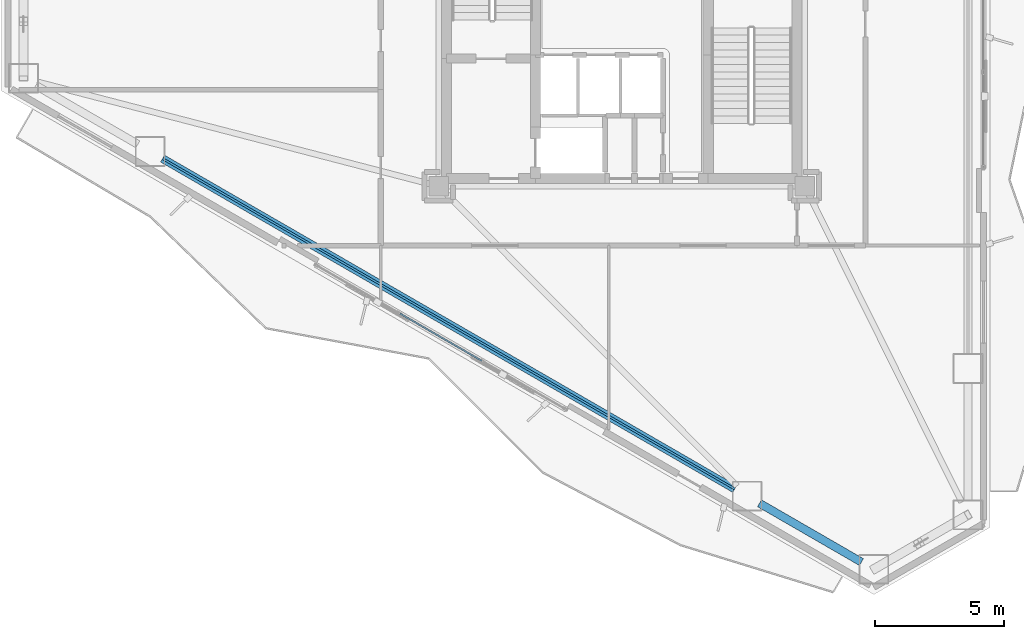
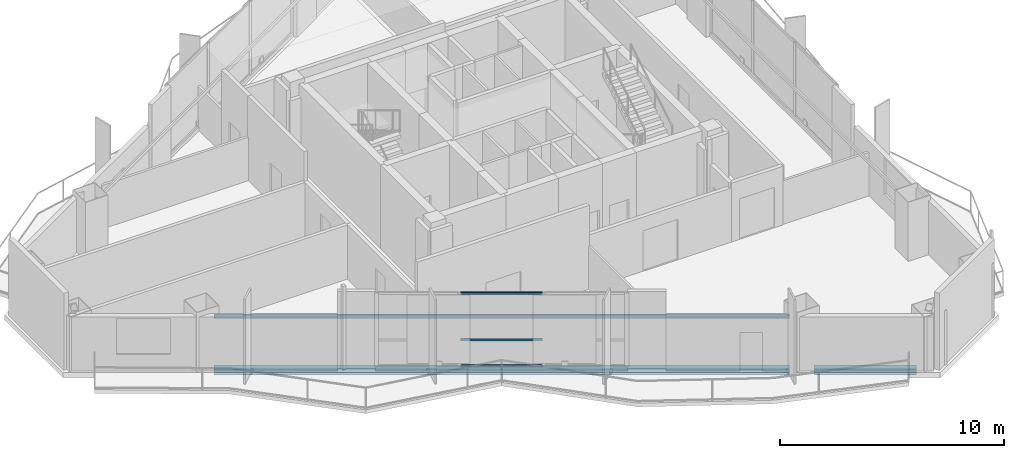
# One storey, part 3 of 20: 3 beams, 3 members, 1 element without a shape of its own.
"""IFC4 building model written with IfcOpenShell, lengths in metres."""

import ifcopenshell
import ifcopenshell.guid

model = None  # the IFC model being written
_history = None  # IfcOwnerHistory: only IFC2X3 demands one
_inside = {}  # id of a spatial element -> (the spatial element, [elements in it])
_under = {}  # id of a project, library or spatial element -> (it, [spatial elements below it])
_declared = {}  # id of a project -> (the project, [libraries it declares])
_typed = {}  # id of a type object -> (the type object, [elements of that type])
_made_of = {}  # id of a material, layer set ... -> (it, [elements and type objects made of it])


def new_model(schema):
    """Start an empty IFC model of exactly this schema.

    Asked for "IFC4X3", IfcOpenShell would pick the latest addendum, in which some entities
    have other attributes; the version numbers below select the first issue.
    IFC2X3 requires an IfcOwnerHistory on every rooted entity: one is made here for all.
    """
    global model, _history
    if schema == "IFC4X3":
        model = ifcopenshell.file(schema_version=(4, 3, 0, 0))
    else:
        model = ifcopenshell.file(schema=schema)
    _inside.clear()
    _under.clear()
    _declared.clear()
    _typed.clear()
    _made_of.clear()
    _history = None
    if model.schema == "IFC2X3":
        org = make("IfcOrganization", Name="unknown")
        user = make(
            "IfcPersonAndOrganization",
            ThePerson=make("IfcPerson", FamilyName="unknown"),
            TheOrganization=org,
        )
        app = make(
            "IfcApplication",
            ApplicationDeveloper=org,
            Version="unknown",
            ApplicationFullName="unknown",
            ApplicationIdentifier="unknown",
        )
        _history = make(
            "IfcOwnerHistory",
            OwningUser=user,
            OwningApplication=app,
            ChangeAction="ADDED",
            CreationDate=0,
        )
    return model


def make(cls, **values):
    """One entity of the class cls with the attributes given. An attribute that is None is left unset."""
    return model.create_entity(
        cls, **{name: value for name, value in values.items() if value is not None}
    )


def rooted(cls, **values):
    """An entity with a GlobalId (a new one), such as an element, a storey or a relation."""
    return make(cls, GlobalId=ifcopenshell.guid.new(), OwnerHistory=_history, **values)


def si_unit(unit_type, name, prefix=None):
    """IfcSIUnit, for example si_unit("LENGTHUNIT", "METRE", prefix="MILLI")."""
    return make("IfcSIUnit", UnitType=unit_type, Prefix=prefix, Name=name)


def assignment(units):
    """IfcUnitAssignment: the units of a project."""
    return None if units is None else make("IfcUnitAssignment", Units=units)


def point(xyz):
    """IfcCartesianPoint."""
    return None if xyz is None else make("IfcCartesianPoint", Coordinates=xyz)


def direction(xyz):
    """IfcDirection."""
    return None if xyz is None else make("IfcDirection", DirectionRatios=xyz)


def frame(location, z_axis=None, x_axis=None):
    """IfcAxis2Placement3D, a coordinate frame: its origin and axes. An axis left out is left unset."""
    return make(
        "IfcAxis2Placement3D",
        Location=point(location),
        Axis=direction(z_axis),
        RefDirection=direction(x_axis),
    )


def frame_2d(location, x_axis=None):
    """IfcAxis2Placement2D, a coordinate frame in the plane: its origin and x axis."""
    return make(
        "IfcAxis2Placement2D", Location=point(location), RefDirection=direction(x_axis)
    )


def origin():
    """The frame at (0, 0, 0) with its axes left unset."""
    return frame((0.0, 0.0, 0.0))


def origin_2d():
    """The frame at (0, 0) in the plane with its x axis left unset."""
    return frame_2d((0.0, 0.0))


def place(relative_to, where):
    """IfcLocalPlacement: puts the frame where relative to a parent placement (None: the world)."""
    return make(
        "IfcLocalPlacement", PlacementRelTo=relative_to, RelativePlacement=where
    )


def context(
    kind, dimensions, precision=None, world=None, true_north=None, identifier=None
):
    """IfcGeometricRepresentationContext, for example the 3D "Model" context."""
    return make(
        "IfcGeometricRepresentationContext",
        ContextIdentifier=identifier,
        ContextType=kind,
        CoordinateSpaceDimension=dimensions,
        Precision=precision,
        WorldCoordinateSystem=world,
        TrueNorth=true_north,
    )


def subcontext(parent, identifier, kind, view, scale=None):
    """IfcGeometricRepresentationSubContext, for example "Body" below "Model"."""
    return make(
        "IfcGeometricRepresentationSubContext",
        ContextIdentifier=identifier,
        ContextType=kind,
        ParentContext=parent,
        TargetScale=scale,
        TargetView=view,
    )


def project(units=None, contexts=None):
    """IfcProject with its units and contexts."""
    return rooted(
        "IfcProject",
        Name="project",
        RepresentationContexts=contexts,
        UnitsInContext=assignment(units),
    )


def spatial(cls, under=None, at=None, **own):
    """A site, building, storey or space (cls), placed at a placement, below another one or the project."""
    s = rooted(cls, ObjectPlacement=at, **own)
    if under is not None:
        _under.setdefault(under.id(), (under, []))[1].append(s)
    return s


def profile(cls, at=None, kind="AREA", **sizes):
    """A parametric profile (cls). Its sizes go by their IFC names, for example OverallWidth=200.0."""
    return make(cls, ProfileType=kind, Position=at, **sizes)


def hollow_rectangle(**sizes):
    """IfcRectangleHollowProfileDef."""
    return profile("IfcRectangleHollowProfileDef", **sizes)


def i_section(**sizes):
    """IfcIShapeProfileDef."""
    return profile("IfcIShapeProfileDef", **sizes)


def extrude(swept, where, along, depth):
    """IfcExtrudedAreaSolid: the profile swept, set in the frame where, extruded along a direction by depth."""
    return make(
        "IfcExtrudedAreaSolid",
        SweptArea=swept,
        Position=where,
        ExtrudedDirection=direction(along),
        Depth=depth,
    )


def shape(context_of_items, identifier, shape_type, items):
    """IfcShapeRepresentation: the items that make up one representation, for example the "Body"."""
    return make(
        "IfcShapeRepresentation",
        ContextOfItems=context_of_items,
        RepresentationIdentifier=identifier,
        RepresentationType=shape_type,
        Items=items,
    )


def material(Name=None, Category=None):
    """IfcMaterial."""
    return make("IfcMaterial", Name=Name, Category=Category)


def layer(
    of_material, thickness, ventilated=None, Name=None, Category=None, Priority=None
):
    """IfcMaterialLayer: one layer of a wall or slab, of a material (None: an air gap)."""
    return make(
        "IfcMaterialLayer",
        Material=of_material,
        LayerThickness=thickness,
        IsVentilated=ventilated,
        Name=Name,
        Category=Category,
        Priority=Priority,
    )


def layer_set(layers, Name=None):
    """IfcMaterialLayerSet."""
    return make("IfcMaterialLayerSet", MaterialLayers=layers, LayerSetName=Name)


def material_profile(
    of_material, cross_section, Name=None, Category=None, Priority=None
):
    """IfcMaterialProfile: a cross section and its material."""
    return make(
        "IfcMaterialProfile",
        Name=Name,
        Material=of_material,
        Profile=cross_section,
        Priority=Priority,
        Category=Category,
    )


def profile_set(profiles, Name=None, composite=None):
    """IfcMaterialProfileSet."""
    return make(
        "IfcMaterialProfileSet",
        Name=Name,
        MaterialProfiles=profiles,
        CompositeProfile=composite,
    )


def made_of(thing, what):
    """Note that an element or type object is made of a material, layer set ...; save() writes the relation."""
    if what is not None:
        _made_of.setdefault(what.id(), (what, []))[1].append(thing)
    return thing


def type_object(cls, material=None, **own):
    """A type object (cls), such as IfcWallType, which elements share."""
    return made_of(rooted(cls, **own), material)


def element(
    cls,
    number,
    at=None,
    inside=None,
    cuts=None,
    type_object=None,
    material=None,
    context=None,
    identifier="Body",
    shape_type=None,
    held_by="IfcProductDefinitionShape",
    body=None,
    shapes=None,
    **own,
):
    """One element of the class cls, such as IfcWall. Its Tag is "e" and its number.

    at: its placement. inside: the storey or other place that contains it. cuts: it is an
    opening in that element (IfcRelVoidsElement). A single representation is given by context,
    identifier, shape_type and body (its items); several are given by shapes. held_by: the class
    of the entity that holds the representations. save() writes the other relations.
    """
    e = rooted(cls, Tag="e%d" % number, ObjectPlacement=at, **own)
    if body is not None:
        shapes = [shape(context, identifier, shape_type, body)]
    if shapes is not None:
        e.Representation = make(held_by, Representations=shapes)
    if inside is not None:
        _inside.setdefault(inside.id(), (inside, []))[1].append(e)
    if cuts is not None:
        rooted(
            "IfcRelVoidsElement", RelatingBuildingElement=cuts, RelatedOpeningElement=e
        )
    if type_object is not None:
        _typed.setdefault(type_object.id(), (type_object, []))[1].append(e)
    return made_of(e, material)


def aggregate(whole, parts):
    """IfcRelAggregates: a whole, such as a stair, and the parts it consists of."""
    return rooted("IfcRelAggregates", RelatingObject=whole, RelatedObjects=parts)


def save(model, path):
    """Write the relations noted so far, then the file.

    IfcRelAggregates (storeys below a building ...), IfcRelContainedInSpatialStructure (elements
    in a storey), IfcRelDefinesByType, IfcRelAssociatesMaterial and IfcRelDeclares: one each for
    every whole, place, type object, material and project.
    """
    for whole, parts in _under.values():
        aggregate(whole, parts)
    for where, things in _inside.values():
        rooted(
            "IfcRelContainedInSpatialStructure",
            RelatedElements=things,
            RelatingStructure=where,
        )
    for kind, things in _typed.values():
        rooted("IfcRelDefinesByType", RelatedObjects=things, RelatingType=kind)
    for what, things in _made_of.values():
        rooted("IfcRelAssociatesMaterial", RelatedObjects=things, RelatingMaterial=what)
    for by, libraries in _declared.values():
        rooted("IfcRelDeclares", RelatingContext=by, RelatedDefinitions=libraries)
    model.write(path)


model = new_model("IFC4")

# Units and contexts
model_context = context("Model", 3, precision=1e-05, world=origin(), true_north=direction((0.0, 1.0)))
body_context = subcontext(model_context, "Body", "Model", "MODEL_VIEW")
ifc_project = project(units=[si_unit("LENGTHUNIT", "METRE"), si_unit("AREAUNIT", "SQUARE_METRE"), si_unit("VOLUMEUNIT", "CUBIC_METRE"), si_unit("PLANEANGLEUNIT", "RADIAN"), si_unit("MASSUNIT", "GRAM", prefix="KILO")], contexts=[model_context])

# Site, building, storey
site_placement = place(None, origin())
site = spatial("IfcSite", under=ifc_project, at=site_placement, CompositionType="ELEMENT")
building_placement = place(site_placement, origin())
building = spatial("IfcBuilding", under=site, at=building_placement, Name="Mersakhor Tower and Convention Hall", CompositionType="ELEMENT")
storey_placement = place(building_placement, frame((0.0, 0.0, 116.39990234375)))
storey = spatial("IfcBuildingStorey", under=building, at=storey_placement, Name="L32", CompositionType="ELEMENT", Elevation=116.39990234375)

# Beams
ifc_material_1 = material(Name="Steel S355", Category="steel")
ifc_material_profile_1 = material_profile(ifc_material_1, hollow_rectangle(XDim=0.080078125, YDim=0.179931640625, WallThickness=0.008056640625, at=origin_2d()), Name="RHS 180x80x8")
ifc_profile_set_1 = profile_set([ifc_material_profile_1], Name="Steel S355")
beam_type_1 = type_object("IfcBeamType", Name="BM-GRT-RHS180", PredefinedType="USERDEFINED", material=ifc_profile_set_1)
beam_1_placement = place(storey_placement, frame((33.38232421875, 8.706787109375, 2.47998046875), z_axis=(-0.866022538643, 0.500004962538, 0.0), x_axis=(-0.500004962538, -0.866022538643, 0.0)))
element("IfcBeam", 1, at=beam_1_placement, inside=storey, type_object=beam_type_1, Name="L32 Facade Support Girt GRT-F3", ObjectType="GIRT", PredefinedType="USERDEFINED", context=body_context, shape_type="SweptSolid", body=[
    extrude(hollow_rectangle(XDim=0.080078125, YDim=0.179931640625, WallThickness=0.008056640625, at=origin_2d()), origin(), (0.0, 0.0, 1.0), 25.633544921875),
])
ifc_material_2 = material(Name="Steel S355", Category="steel")
ifc_material_profile_2 = material_profile(ifc_material_2, i_section(OverallWidth=0.30908203125, OverallDepth=0.320556640625, WebThickness=0.013916015625, FlangeThickness=0.021728515625, at=origin_2d()), Name="UC 305x305x137")
ifc_profile_set_2 = profile_set([ifc_material_profile_2], Name="Steel S355")
beam_type_2 = type_object("IfcBeamType", Name="BM-SPD-UC305", PredefinedType="SPANDREL", material=ifc_profile_set_2)
beam_2_placement = place(storey_placement, frame((38.298095703125, 5.868896484375, -0.440185546875), z_axis=(-0.866046694585, 0.499963121439, 0.0), x_axis=(-0.499963121439, -0.866046694585, 0.0)))
element("IfcBeam", 2, at=beam_2_placement, inside=storey, type_object=beam_type_2, Name="L32 Perimeter Spandrel Beam SPB-09", PredefinedType="SPANDREL", context=body_context, shape_type="SweptSolid", body=[
    extrude(i_section(OverallWidth=0.30908203125, OverallDepth=0.320556640625, WebThickness=0.013916015625, FlangeThickness=0.021728515625, at=origin_2d()), origin(), (0.0, 0.0, 1.0), 4.566162109375),
])
beam_3_placement = place(storey_placement, frame((33.38232421875, 8.706787109375, -0.440185546875), z_axis=(-0.866022538643, 0.500004962538, 0.0), x_axis=(-0.500004962538, -0.866022538643, 0.0)))
element("IfcBeam", 3, at=beam_3_placement, inside=storey, type_object=beam_type_2, Name="L32 Perimeter Spandrel Beam SPB-10", PredefinedType="SPANDREL", context=body_context, shape_type="SweptSolid", body=[
    extrude(i_section(OverallWidth=0.30908203125, OverallDepth=0.320556640625, WebThickness=0.013916015625, FlangeThickness=0.021728515625, at=origin_2d()), origin(), (0.0, 0.0, 1.0), 25.633544921875),
])

# Curtain wall, members
ifc_material_3 = material(Name="Dark solar low-E aluminium curtain wall", Category="aluminium")
ifc_layer = layer(ifc_material_3, 0.199951171875)
ifc_layer_set = layer_set([ifc_layer], Name="Dark solar low-E aluminium curtain wall")
curtain_wall_type = type_object("IfcCurtainWallType", Name="CW-SYS-05", PredefinedType="USERDEFINED", material=ifc_layer_set)
curtain_wall_placement = place(storey_placement, origin())
curtain_wall = element("IfcCurtainWall", 4, at=curtain_wall_placement, inside=storey, type_object=curtain_wall_type, Name="L32 Dark-Glass Curtain Wall F3-B2", ObjectType="CURTAIN WALL", PredefinedType="USERDEFINED")
ifc_material_4 = material(Name="Anodised aluminium EN AW-6063 T6", Category="aluminium")
ifc_material_profile_3 = material_profile(ifc_material_4, hollow_rectangle(XDim=0.06005859375, YDim=0.1201171875, WallThickness=0.0048828125, at=origin_2d()), Name="RHS 120x60x5")
ifc_profile_set_3 = profile_set([ifc_material_profile_3], Name="Anodised aluminium EN AW-6063 T6")
member_type = type_object("IfcMemberType", Name="CWT-120x60", PredefinedType="USERDEFINED", material=ifc_profile_set_3)
member_1_placement = place(storey_placement, frame((23.56884765625, 13.679931640625, 0.22998046875), z_axis=(-0.866027983755, 0.499995531332, 0.0), x_axis=(-0.499995531332, -0.866027983755, 0.0)))
member_1 = element("IfcMember", 5, at=member_1_placement, type_object=member_type, Name="CW-05 transom 2.1", ObjectType="TRANSOM", PredefinedType="USERDEFINED", context=body_context, shape_type="SweptSolid", body=[
    extrude(hollow_rectangle(XDim=0.06005859375, YDim=0.1201171875, WallThickness=0.0048828125, at=origin_2d()), origin(), (0.0, 0.0, 1.0), 3.6630859375),
])
member_2_placement = place(storey_placement, frame((23.56884765625, 13.679931640625, 1.6201171875), z_axis=(-0.866027983755, 0.499995531332, 0.0), x_axis=(-0.499995531332, -0.866027983755, 0.0)))
member_2 = element("IfcMember", 6, at=member_2_placement, type_object=member_type, Name="CW-05 transom 2.2", ObjectType="TRANSOM", PredefinedType="USERDEFINED", context=body_context, shape_type="SweptSolid", body=[
    extrude(hollow_rectangle(XDim=0.06005859375, YDim=0.1201171875, WallThickness=0.0048828125, at=origin_2d()), origin(), (0.0, 0.0, 1.0), 3.6630859375),
])
member_3_placement = place(storey_placement, frame((23.56884765625, 13.679931640625, 4.150146484375), z_axis=(-0.866027983755, 0.499995531332, 0.0), x_axis=(-0.499995531332, -0.866027983755, 0.0)))
member_3 = element("IfcMember", 7, at=member_3_placement, type_object=member_type, Name="CW-05 transom 2.3", ObjectType="TRANSOM", PredefinedType="USERDEFINED", context=body_context, shape_type="SweptSolid", body=[
    extrude(hollow_rectangle(XDim=0.06005859375, YDim=0.1201171875, WallThickness=0.0048828125, at=origin_2d()), origin(), (0.0, 0.0, 1.0), 3.6630859375),
])
aggregate(curtain_wall, [member_1, member_2, member_3])

save(model, "model.ifc")
